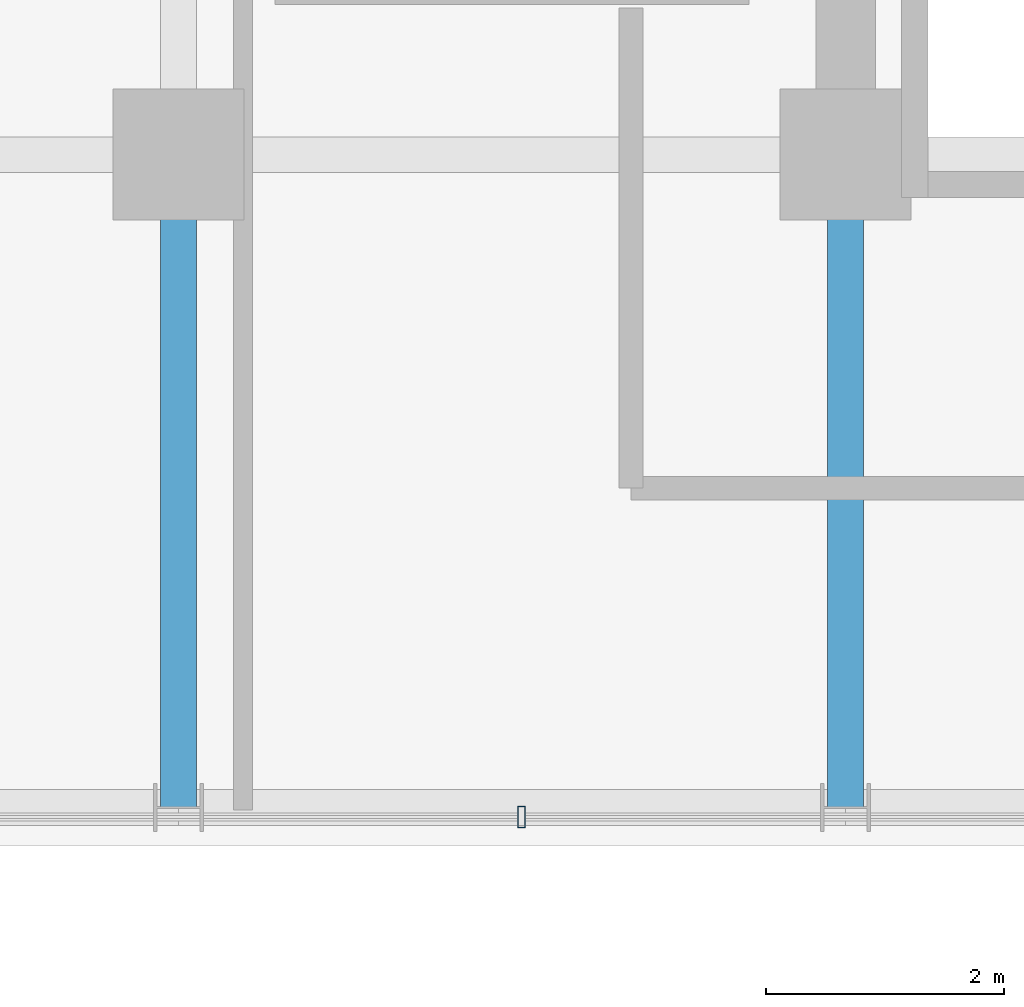
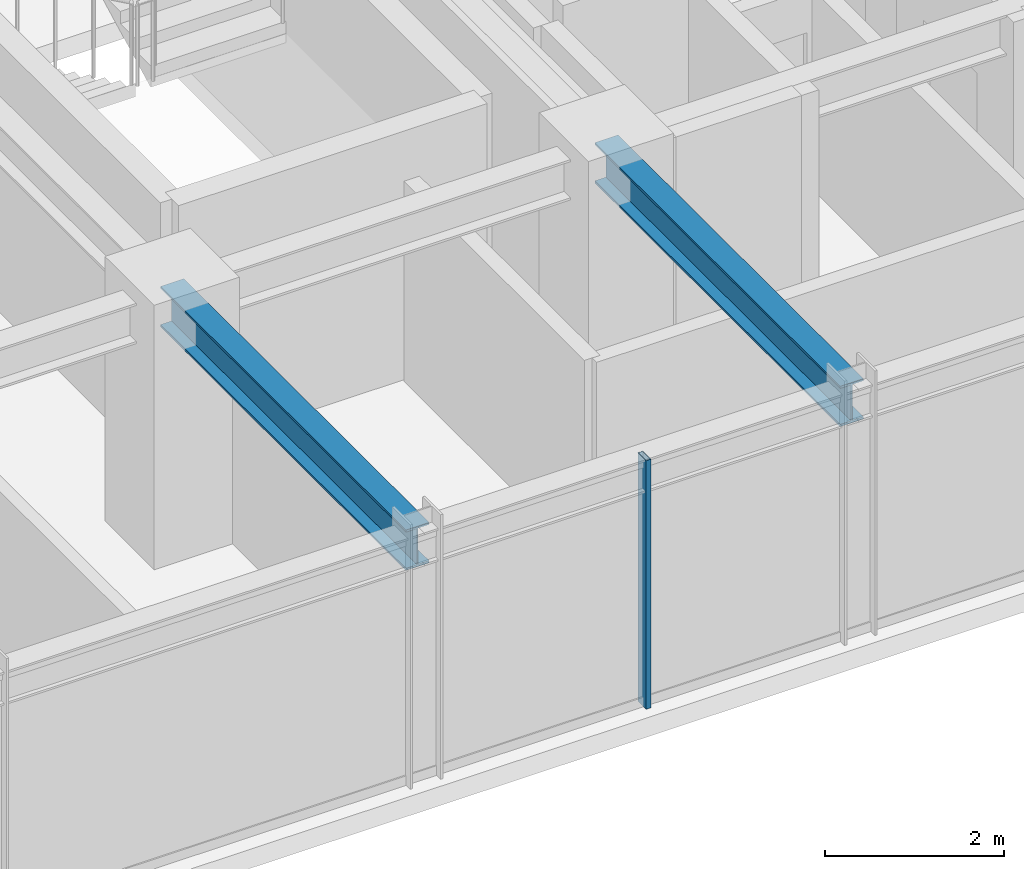
# One storey, part 5 of 31: 2 beams, 1 member, 1 element without a shape of its own.
"""IFC4 building model written with IfcOpenShell, lengths in metres."""

from ifc_helpers import new_model, si_unit, direction, frame, origin, origin_2d, place, context, subcontext, project, spatial, hollow_rectangle, i_section, extrude, source, transform, mapped, material, material_profile, profile_set, type_object, element, aggregate, save


model = new_model("IFC4")

# Units and contexts
model_context = context("Model", 3, precision=1e-05, world=origin(), true_north=direction((0.0, 1.0)))
body_context = subcontext(model_context, "Body", "Model", "MODEL_VIEW")
ifc_project = project(units=[si_unit("LENGTHUNIT", "METRE"), si_unit("AREAUNIT", "SQUARE_METRE"), si_unit("VOLUMEUNIT", "CUBIC_METRE"), si_unit("PLANEANGLEUNIT", "RADIAN"), si_unit("MASSUNIT", "GRAM", prefix="KILO")], contexts=[model_context])

# Site, building, storey
site_placement = place(None, origin())
site = spatial("IfcSite", under=ifc_project, at=site_placement, CompositionType="ELEMENT")
building_placement = place(site_placement, origin())
building = spatial("IfcBuilding", under=site, at=building_placement, Name="Nahalor Promenade Grand Hotel", CompositionType="ELEMENT")
storey_placement = place(building_placement, frame((0.0, 0.0, 192.800048828125)))
storey = spatial("IfcBuildingStorey", under=building, at=storey_placement, Name="L49", CompositionType="ELEMENT", Elevation=192.800048828125)

# Beams
ifc_material_1 = material(Name="Steel S355JR", Category="steel")
ifc_material_profile_1 = material_profile(ifc_material_1, i_section(OverallWidth=0.3, OverallDepth=0.55, WebThickness=0.015, FlangeThickness=0.029, at=origin_2d()), Name="HEB 550")
ifc_profile_set_1 = profile_set([ifc_material_profile_1], Name="Steel S355JR")
beam_type = type_object("IfcBeamType", Name="Beam-Girder-HEB550", PredefinedType="BEAM", material=ifc_profile_set_1)
shared_shape_1 = source(origin(), body_context, "Body", "SweptSolid", [
    extrude(i_section(OverallWidth=0.3, OverallDepth=0.55, WebThickness=0.015, FlangeThickness=0.029, at=origin_2d()), origin(), (0.0, 0.0, 1.0), 5.47998046875),
])
for number, where, z_axis, x_axis, name in (
    (1, (2.800048828125, -22.47998046875, 3.114990234375), (0.0, 1.0, 0.0), (-1.0, 0.0, 0.0), "BM-L49-GY-3-0"),
    (2, (8.39990234375, -22.47998046875, 3.114990234375), (0.0, 1.0, 0.0), (-1.0, 0.0, 0.0), "BM-L49-GY-4-0"),
):
    element("IfcBeam", number, at=place(storey_placement, frame(where, z_axis=z_axis, x_axis=x_axis)), inside=storey, type_object=beam_type, Name=name, PredefinedType="BEAM", context=body_context, shape_type="MappedRepresentation", body=[
        mapped(shared_shape_1, transform((0.0, 0.0, 0.0), scale=1.0)),
    ])

# Curtain wall, member
ifc_material_2 = material(Name="Anodised Bronze Aluminium EN AW-6063 T6", Category="aluminium")
curtain_wall_type = type_object("IfcCurtainWallType", Name="CW2 Typical Hotel Flush Bronze Unitised Curtain Wall", PredefinedType="USERDEFINED", material=ifc_material_2)
curtain_wall_placement = place(storey_placement, origin())
curtain_wall = element("IfcCurtainWall", 3, at=curtain_wall_placement, inside=storey, type_object=curtain_wall_type, Name="L49 Curtain Wall CW-L49-S-3", ObjectType="UNITISED_CURTAIN_WALL", PredefinedType="USERDEFINED")
ifc_material_profile_2 = material_profile(ifc_material_2, hollow_rectangle(XDim=0.065, YDim=0.18, WallThickness=0.004, at=origin_2d()), Name="CWM 65x180x4")
ifc_profile_set_2 = profile_set([ifc_material_profile_2], Name="Anodised Bronze Aluminium EN AW-6063 T6")
member_type = type_object("IfcMemberType", Name="CWM2 Typical Bronze Mullion 65x180", PredefinedType="MULLION", material=ifc_profile_set_2)
shared_shape_2 = source(origin(), body_context, "Body", "SweptSolid", [
    extrude(hollow_rectangle(XDim=0.065, YDim=0.18, WallThickness=0.004, at=origin_2d()), origin(), (0.0, 0.0, 1.0), 3.389892578125),
])
member_placement = place(storey_placement, frame((5.679931640625, -22.56005859375, 0.0), z_axis=(0.0, 0.0, 1.0), x_axis=(1.0, 0.0, 0.0)))
member = element("IfcMember", 4, at=member_placement, type_object=member_type, Name="CW-L49-S-3 Mullion 1", PredefinedType="MULLION", context=body_context, shape_type="MappedRepresentation", body=[
    mapped(shared_shape_2, transform((0.0, 0.0, 0.0), scale=1.0)),
])
aggregate(curtain_wall, [member])

save(model, "model.ifc")
